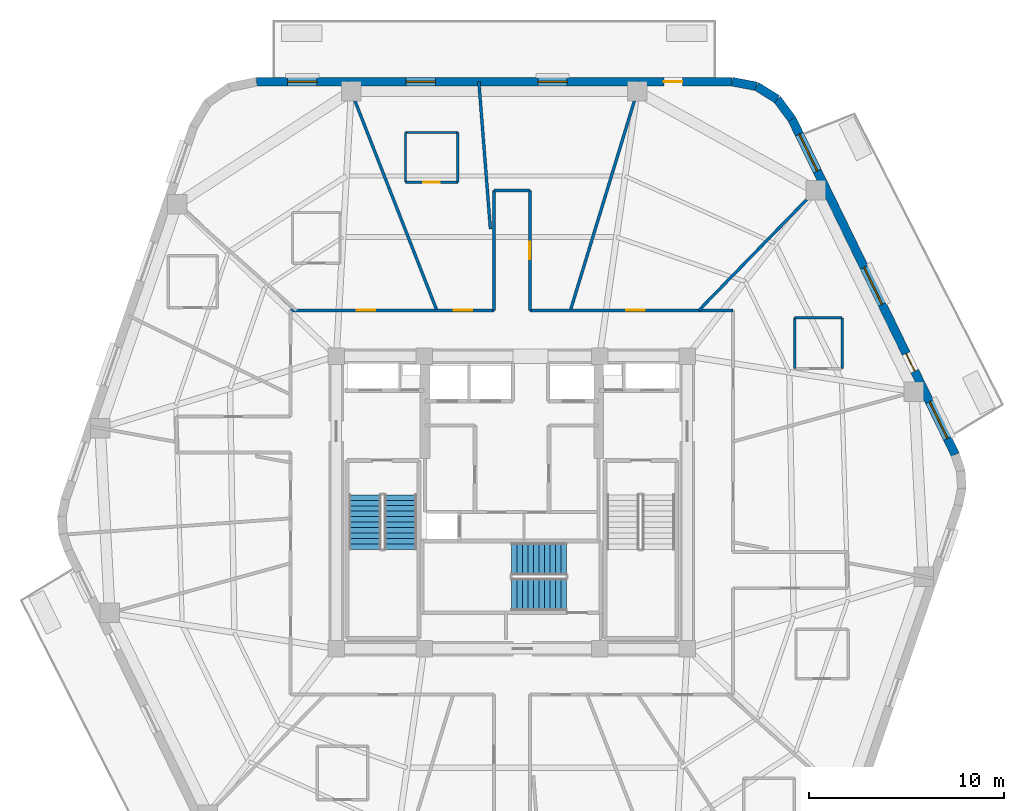
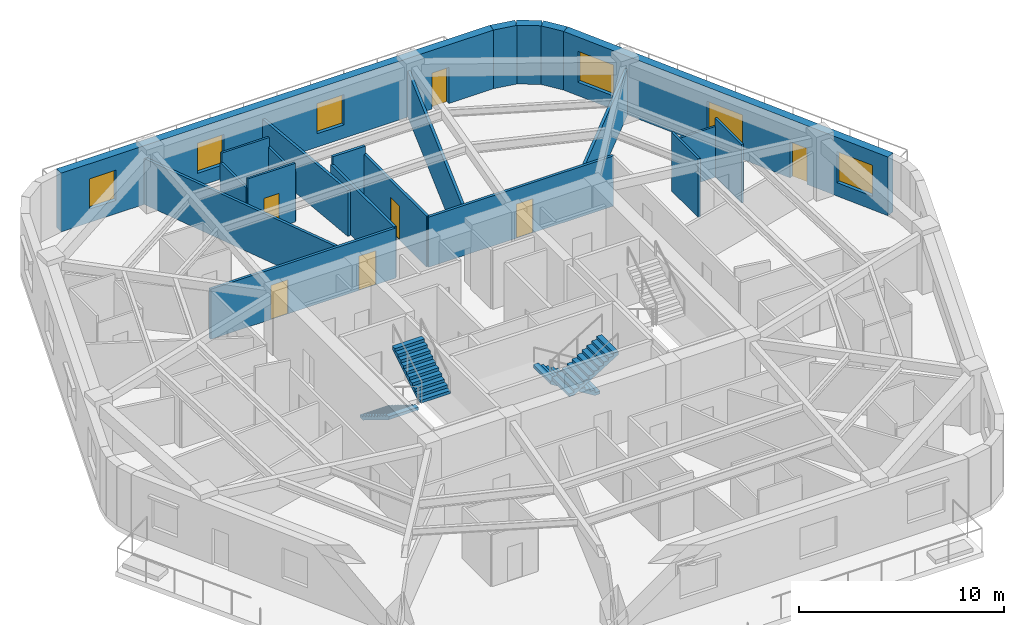
# One storey, part 6 of 10: 21 walls, 7 doors, 6 windows, 4 stair flights, 13 openings, 2 elements without a shape of their own.
"""IFC4 building model written with IfcOpenShell, lengths in metres."""

import ifcopenshell
import ifcopenshell.guid

model = None  # the IFC model being written
_history = None  # IfcOwnerHistory: only IFC2X3 demands one
_inside = {}  # id of a spatial element -> (the spatial element, [elements in it])
_under = {}  # id of a project, library or spatial element -> (it, [spatial elements below it])
_declared = {}  # id of a project -> (the project, [libraries it declares])
_typed = {}  # id of a type object -> (the type object, [elements of that type])
_made_of = {}  # id of a material, layer set ... -> (it, [elements and type objects made of it])


def new_model(schema):
    """Start an empty IFC model of exactly this schema.

    Asked for "IFC4X3", IfcOpenShell would pick the latest addendum, in which some entities
    have other attributes; the version numbers below select the first issue.
    IFC2X3 requires an IfcOwnerHistory on every rooted entity: one is made here for all.
    """
    global model, _history
    if schema == "IFC4X3":
        model = ifcopenshell.file(schema_version=(4, 3, 0, 0))
    else:
        model = ifcopenshell.file(schema=schema)
    _inside.clear()
    _under.clear()
    _declared.clear()
    _typed.clear()
    _made_of.clear()
    _history = None
    if model.schema == "IFC2X3":
        org = make("IfcOrganization", Name="unknown")
        user = make(
            "IfcPersonAndOrganization",
            ThePerson=make("IfcPerson", FamilyName="unknown"),
            TheOrganization=org,
        )
        app = make(
            "IfcApplication",
            ApplicationDeveloper=org,
            Version="unknown",
            ApplicationFullName="unknown",
            ApplicationIdentifier="unknown",
        )
        _history = make(
            "IfcOwnerHistory",
            OwningUser=user,
            OwningApplication=app,
            ChangeAction="ADDED",
            CreationDate=0,
        )
    return model


def make(cls, **values):
    """One entity of the class cls with the attributes given. An attribute that is None is left unset."""
    return model.create_entity(
        cls, **{name: value for name, value in values.items() if value is not None}
    )


def rooted(cls, **values):
    """An entity with a GlobalId (a new one), such as an element, a storey or a relation."""
    return make(cls, GlobalId=ifcopenshell.guid.new(), OwnerHistory=_history, **values)


def si_unit(unit_type, name, prefix=None):
    """IfcSIUnit, for example si_unit("LENGTHUNIT", "METRE", prefix="MILLI")."""
    return make("IfcSIUnit", UnitType=unit_type, Prefix=prefix, Name=name)


def assignment(units):
    """IfcUnitAssignment: the units of a project."""
    return None if units is None else make("IfcUnitAssignment", Units=units)


def point(xyz):
    """IfcCartesianPoint."""
    return None if xyz is None else make("IfcCartesianPoint", Coordinates=xyz)


def direction(xyz):
    """IfcDirection."""
    return None if xyz is None else make("IfcDirection", DirectionRatios=xyz)


def frame(location, z_axis=None, x_axis=None):
    """IfcAxis2Placement3D, a coordinate frame: its origin and axes. An axis left out is left unset."""
    return make(
        "IfcAxis2Placement3D",
        Location=point(location),
        Axis=direction(z_axis),
        RefDirection=direction(x_axis),
    )


def frame_2d(location, x_axis=None):
    """IfcAxis2Placement2D, a coordinate frame in the plane: its origin and x axis."""
    return make(
        "IfcAxis2Placement2D", Location=point(location), RefDirection=direction(x_axis)
    )


def origin():
    """The frame at (0, 0, 0) with its axes left unset."""
    return frame((0.0, 0.0, 0.0))


def place(relative_to, where):
    """IfcLocalPlacement: puts the frame where relative to a parent placement (None: the world)."""
    return make(
        "IfcLocalPlacement", PlacementRelTo=relative_to, RelativePlacement=where
    )


def context(
    kind, dimensions, precision=None, world=None, true_north=None, identifier=None
):
    """IfcGeometricRepresentationContext, for example the 3D "Model" context."""
    return make(
        "IfcGeometricRepresentationContext",
        ContextIdentifier=identifier,
        ContextType=kind,
        CoordinateSpaceDimension=dimensions,
        Precision=precision,
        WorldCoordinateSystem=world,
        TrueNorth=true_north,
    )


def subcontext(parent, identifier, kind, view, scale=None):
    """IfcGeometricRepresentationSubContext, for example "Body" below "Model"."""
    return make(
        "IfcGeometricRepresentationSubContext",
        ContextIdentifier=identifier,
        ContextType=kind,
        ParentContext=parent,
        TargetScale=scale,
        TargetView=view,
    )


def project(units=None, contexts=None):
    """IfcProject with its units and contexts."""
    return rooted(
        "IfcProject",
        Name="project",
        RepresentationContexts=contexts,
        UnitsInContext=assignment(units),
    )


def spatial(cls, under=None, at=None, **own):
    """A site, building, storey or space (cls), placed at a placement, below another one or the project."""
    s = rooted(cls, ObjectPlacement=at, **own)
    if under is not None:
        _under.setdefault(under.id(), (under, []))[1].append(s)
    return s


def polyline(points):
    """IfcPolyline through the points."""
    return make("IfcPolyline", Points=[point(p) for p in points])


def profile(cls, at=None, kind="AREA", **sizes):
    """A parametric profile (cls). Its sizes go by their IFC names, for example OverallWidth=200.0."""
    return make(cls, ProfileType=kind, Position=at, **sizes)


def rectangle(**sizes):
    """IfcRectangleProfileDef."""
    return profile("IfcRectangleProfileDef", **sizes)


def outline(outer, holes=None, kind="AREA"):
    """IfcArbitraryClosedProfileDef: a profile drawn as a closed curve; with holes, ...WithVoids."""
    if holes is None:
        return make("IfcArbitraryClosedProfileDef", ProfileType=kind, OuterCurve=outer)
    return make(
        "IfcArbitraryProfileDefWithVoids",
        ProfileType=kind,
        OuterCurve=outer,
        InnerCurves=holes,
    )


def extrude(swept, where, along, depth):
    """IfcExtrudedAreaSolid: the profile swept, set in the frame where, extruded along a direction by depth."""
    return make(
        "IfcExtrudedAreaSolid",
        SweptArea=swept,
        Position=where,
        ExtrudedDirection=direction(along),
        Depth=depth,
    )


def shape(context_of_items, identifier, shape_type, items):
    """IfcShapeRepresentation: the items that make up one representation, for example the "Body"."""
    return make(
        "IfcShapeRepresentation",
        ContextOfItems=context_of_items,
        RepresentationIdentifier=identifier,
        RepresentationType=shape_type,
        Items=items,
    )


def material(Name=None, Category=None):
    """IfcMaterial."""
    return make("IfcMaterial", Name=Name, Category=Category)


def layer(
    of_material, thickness, ventilated=None, Name=None, Category=None, Priority=None
):
    """IfcMaterialLayer: one layer of a wall or slab, of a material (None: an air gap)."""
    return make(
        "IfcMaterialLayer",
        Material=of_material,
        LayerThickness=thickness,
        IsVentilated=ventilated,
        Name=Name,
        Category=Category,
        Priority=Priority,
    )


def layer_set(layers, Name=None):
    """IfcMaterialLayerSet."""
    return make("IfcMaterialLayerSet", MaterialLayers=layers, LayerSetName=Name)


def made_of(thing, what):
    """Note that an element or type object is made of a material, layer set ...; save() writes the relation."""
    if what is not None:
        _made_of.setdefault(what.id(), (what, []))[1].append(thing)
    return thing


def type_object(cls, material=None, **own):
    """A type object (cls), such as IfcWallType, which elements share."""
    return made_of(rooted(cls, **own), material)


def element(
    cls,
    number,
    at=None,
    inside=None,
    cuts=None,
    type_object=None,
    material=None,
    context=None,
    identifier="Body",
    shape_type=None,
    held_by="IfcProductDefinitionShape",
    body=None,
    shapes=None,
    **own,
):
    """One element of the class cls, such as IfcWall. Its Tag is "e" and its number.

    at: its placement. inside: the storey or other place that contains it. cuts: it is an
    opening in that element (IfcRelVoidsElement). A single representation is given by context,
    identifier, shape_type and body (its items); several are given by shapes. held_by: the class
    of the entity that holds the representations. save() writes the other relations.
    """
    e = rooted(cls, Tag="e%d" % number, ObjectPlacement=at, **own)
    if body is not None:
        shapes = [shape(context, identifier, shape_type, body)]
    if shapes is not None:
        e.Representation = make(held_by, Representations=shapes)
    if inside is not None:
        _inside.setdefault(inside.id(), (inside, []))[1].append(e)
    if cuts is not None:
        rooted(
            "IfcRelVoidsElement", RelatingBuildingElement=cuts, RelatedOpeningElement=e
        )
    if type_object is not None:
        _typed.setdefault(type_object.id(), (type_object, []))[1].append(e)
    return made_of(e, material)


def fill(opening, filler):
    """IfcRelFillsElement: the door or window that sits in an opening."""
    return rooted(
        "IfcRelFillsElement",
        RelatingOpeningElement=opening,
        RelatedBuildingElement=filler,
    )


def aggregate(whole, parts):
    """IfcRelAggregates: a whole, such as a stair, and the parts it consists of."""
    return rooted("IfcRelAggregates", RelatingObject=whole, RelatedObjects=parts)


def save(model, path):
    """Write the relations noted so far, then the file.

    IfcRelAggregates (storeys below a building ...), IfcRelContainedInSpatialStructure (elements
    in a storey), IfcRelDefinesByType, IfcRelAssociatesMaterial and IfcRelDeclares: one each for
    every whole, place, type object, material and project.
    """
    for whole, parts in _under.values():
        aggregate(whole, parts)
    for where, things in _inside.values():
        rooted(
            "IfcRelContainedInSpatialStructure",
            RelatedElements=things,
            RelatingStructure=where,
        )
    for kind, things in _typed.values():
        rooted("IfcRelDefinesByType", RelatedObjects=things, RelatingType=kind)
    for what, things in _made_of.values():
        rooted("IfcRelAssociatesMaterial", RelatedObjects=things, RelatingMaterial=what)
    for by, libraries in _declared.values():
        rooted("IfcRelDeclares", RelatingContext=by, RelatedDefinitions=libraries)
    model.write(path)


model = new_model("IFC4")

# Units and contexts
model_context = context("Model", 3, precision=1e-05, world=origin(), true_north=direction((0.0, 1.0)))
body_context = subcontext(model_context, "Body", "Model", "MODEL_VIEW")
ifc_project = project(units=[si_unit("LENGTHUNIT", "METRE"), si_unit("AREAUNIT", "SQUARE_METRE"), si_unit("VOLUMEUNIT", "CUBIC_METRE"), si_unit("PLANEANGLEUNIT", "RADIAN"), si_unit("MASSUNIT", "GRAM", prefix="KILO")], contexts=[model_context])

# Site, building, storey
site_placement = place(None, origin())
site = spatial("IfcSite", under=ifc_project, at=site_placement, CompositionType="ELEMENT")
building_placement = place(site_placement, origin())
building = spatial("IfcBuilding", under=site, at=building_placement, Name="Kilnhurst Terrace Hotel", CompositionType="ELEMENT")
storey_placement = place(building_placement, frame((0.0, 0.0, 210.300048828125)))
storey = spatial("IfcBuildingStorey", under=building, at=storey_placement, Name="L52", CompositionType="ELEMENT", Elevation=210.300048828125)

# Walls
ifc_material_1 = material(Name="Precast concrete C40/50", Category="concrete")
ifc_layer_1 = layer(ifc_material_1, 0.449951171875, Name="Precast concrete C40/50")
ifc_layer_set_1 = layer_set([ifc_layer_1], Name="Precast concrete C40/50")
wall_type_1 = type_object("IfcWallType", Name="WL-BRK-450", PredefinedType="SOLIDWALL", material=ifc_layer_set_1)
wall_1_placement = place(storey_placement, frame((14.3623046875, 19.658447265625, 0.0), z_axis=(0.0, 0.0, 1.0), x_axis=(-0.596642462792, 0.80250717853, 0.0)))
element("IfcWall", 1, at=wall_1_placement, inside=storey, type_object=wall_type_1, Name="L52 Rounded Corner Brick Wall C4.1", PredefinedType="SOLIDWALL", context=body_context, shape_type="SweptSolid", body=[
    extrude(rectangle(XDim=1.27001953125, YDim=0.449951171875, at=frame_2d((0.635009765625, 0.0))), origin(), (0.0, 0.0, 1.0), 3.5),
])
wall_2_placement = place(storey_placement, frame((13.6044921875, 20.677734375, 0.0), z_axis=(0.0, 0.0, 1.0), x_axis=(-0.847910404124, 0.53013955387, 0.0)))
element("IfcWall", 2, at=wall_2_placement, inside=storey, type_object=wall_type_1, Name="L52 Rounded Corner Brick Wall C4.2", PredefinedType="SOLIDWALL", context=body_context, shape_type="SweptSolid", body=[
    extrude(rectangle(XDim=1.24853515625, YDim=0.449951171875, at=frame_2d((0.624267578125, 0.0))), origin(), (0.0, 0.0, 1.0), 3.5),
])
wall_3_placement = place(storey_placement, frame((12.5458984375, 21.339599609375, 0.0), z_axis=(0.0, 0.0, 1.0), x_axis=(-0.982686750835, 0.18527479519, 0.0)))
element("IfcWall", 3, at=wall_3_placement, inside=storey, type_object=wall_type_1, Name="L52 Rounded Corner Brick Wall C4.3", PredefinedType="SOLIDWALL", context=body_context, shape_type="SweptSolid", body=[
    extrude(rectangle(XDim=1.270263671875, YDim=0.449951171875, at=frame_2d((0.63525390625, 0.0))), origin(), (0.0, 0.0, 1.0), 3.5),
])

# Wall, openings, door, windows
wall_4_placement = place(storey_placement, frame((22.73974609375, 2.4521484375, 0.0), z_axis=(0.0, 0.0, 1.0), x_axis=(-0.437753424814, 0.899095066755, 0.0)))
wall_4 = element("IfcWall", 4, at=wall_4_placement, inside=storey, type_object=wall_type_1, Name="L52 Exterior Brick Facade Wall F3", PredefinedType="SOLIDWALL", context=body_context, shape_type="SweptSolid", body=[
    extrude(rectangle(XDim=19.137451171875, YDim=0.449951171875, at=frame_2d((9.56884765625, 0.0))), origin(), (0.0, 0.0, 1.0), 3.5),
])
opening_1_placement = place(wall_4_placement, frame((4.762939453125, 0.0, 0.0)))
opening_1 = element("IfcOpeningElement", 5, at=opening_1_placement, cuts=wall_4, Name="Opening BD-1000", PredefinedType="OPENING", context=body_context, shape_type="SweptSolid", body=[
    extrude(rectangle(XDim=1.0, YDim=2.14990234375, at=frame_2d((0.5, 1.074951171875))), frame((0.0, 0.23486328125, 0.0), z_axis=(0.0, -1.0, 0.0), x_axis=(1.0, 0.0, 0.0)), (0.0, 0.0, 1.0), 0.469970703125),
])
opening_2_placement = place(wall_4_placement, frame((8.570068359375, 0.0, 0.800048828125)))
opening_2 = element("IfcOpeningElement", 6, at=opening_2_placement, cuts=wall_4, Name="Opening W-04", PredefinedType="OPENING", context=body_context, shape_type="SweptSolid", body=[
    extrude(rectangle(XDim=2.10009765625, YDim=1.85009765625, at=frame_2d((1.050048828125, 0.925048828125))), frame((0.0, 0.23486328125, 0.0), z_axis=(0.0, -1.0, 0.0), x_axis=(1.0, 0.0, 0.0)), (0.0, 0.0, 1.0), 0.469970703125),
])
opening_3_placement = place(wall_4_placement, frame((16.173095703125, 0.0, 0.800048828125)))
opening_3 = element("IfcOpeningElement", 7, at=opening_3_placement, cuts=wall_4, Name="Opening W-04", PredefinedType="OPENING", context=body_context, shape_type="SweptSolid", body=[
    extrude(rectangle(XDim=2.10009765625, YDim=1.85009765625, at=frame_2d((1.050048828125, 0.925048828125))), frame((0.0, 0.23486328125, 0.0), z_axis=(0.0, -1.0, 0.0), x_axis=(1.0, 0.0, 0.0)), (0.0, 0.0, 1.0), 0.469970703125),
])
opening_4_placement = place(wall_4_placement, frame((0.916015625, 0.0, 0.800048828125)))
opening_4 = element("IfcOpeningElement", 8, at=opening_4_placement, cuts=wall_4, Name="Opening W-04", PredefinedType="OPENING", context=body_context, shape_type="SweptSolid", body=[
    extrude(rectangle(XDim=2.10009765625, YDim=1.85009765625, at=frame_2d((1.050048828125, 0.925048828125))), frame((0.0, 0.23486328125, 0.0), z_axis=(0.0, -1.0, 0.0), x_axis=(1.0, 0.0, 0.0)), (0.0, 0.0, 1.0), 0.469970703125),
])
ifc_material_2 = material(Name="Thermally Broken Bronze Aluminium Alloy 6063-T6 and Laminated Glass", Category="aluminium")
door_type_1 = type_object("IfcDoorType", Name="DR-EXT-BAL-1000", OperationType="NOTDEFINED", PredefinedType="DOOR", material=ifc_material_2)
door_1_placement = place(opening_1_placement, origin())
door_1 = element("IfcDoor", 9, at=door_1_placement, inside=storey, type_object=door_type_1, Name="L52 Planted Balcony Door BAL-L1A", OperationType="SINGLE_SWING_LEFT", OverallHeight=2.14990234375, OverallWidth=1.0, PredefinedType="DOOR", context=body_context, shape_type="SweptSolid", body=[
    extrude(rectangle(XDim=1.0, YDim=2.14990234375, at=frame_2d((0.5, 1.074951171875))), frame((0.0, 0.02490234375, 0.0), z_axis=(0.0, -1.0, 0.0), x_axis=(1.0, 0.0, 0.0)), (0.0, 0.0, 1.0), 0.050048828125),
])
fill(opening_1, door_1)
ifc_material_3 = material(Name="Thermally Broken Bronze Aluminium Alloy 6063-T6 and Low-E Glass", Category="aluminium")
window_type_1 = type_object("IfcWindowType", Name="WIN-2100X1850", PartitioningType="SINGLE_PANEL", PredefinedType="WINDOW", material=ifc_material_3)
window_1_placement = place(opening_2_placement, origin())
window_1 = element("IfcWindow", 10, at=window_1_placement, inside=storey, type_object=window_type_1, Name="L52 Deep-Set Masonry Window F3.1", OverallHeight=1.85009765625, OverallWidth=2.10009765625, PartitioningType="SINGLE_PANEL", PredefinedType="WINDOW", context=body_context, shape_type="SweptSolid", body=[
    extrude(rectangle(XDim=2.10009765625, YDim=1.85009765625, at=frame_2d((1.050048828125, 0.925048828125))), frame((0.0, 0.030029296875, 0.0), z_axis=(0.0, -1.0, 0.0), x_axis=(1.0, 0.0, 0.0)), (0.0, 0.0, 1.0), 0.06005859375),
])
fill(opening_2, window_1)
window_2_placement = place(opening_3_placement, origin())
window_2 = element("IfcWindow", 11, at=window_2_placement, inside=storey, type_object=window_type_1, Name="L52 Deep-Set Masonry Window F3.2", OverallHeight=1.85009765625, OverallWidth=2.10009765625, PartitioningType="SINGLE_PANEL", PredefinedType="WINDOW", context=body_context, shape_type="SweptSolid", body=[
    extrude(rectangle(XDim=2.10009765625, YDim=1.85009765625, at=frame_2d((1.050048828125, 0.925048828125))), frame((0.0, 0.030029296875, 0.0), z_axis=(0.0, -1.0, 0.0), x_axis=(1.0, 0.0, 0.0)), (0.0, 0.0, 1.0), 0.06005859375),
])
fill(opening_3, window_2)
window_3_placement = place(opening_4_placement, origin())
window_3 = element("IfcWindow", 12, at=window_3_placement, inside=storey, type_object=window_type_1, Name="L52 Deep-Set Masonry Window F3.3", OverallHeight=1.85009765625, OverallWidth=2.10009765625, PartitioningType="SINGLE_PANEL", PredefinedType="WINDOW", context=body_context, shape_type="SweptSolid", body=[
    extrude(rectangle(XDim=2.10009765625, YDim=1.85009765625, at=frame_2d((1.050048828125, 0.925048828125))), frame((0.0, 0.030029296875, 0.0), z_axis=(0.0, -1.0, 0.0), x_axis=(1.0, 0.0, 0.0)), (0.0, 0.0, 1.0), 0.06005859375),
])
fill(opening_4, window_3)

wall_5_placement = place(storey_placement, frame((11.297607421875, 21.574951171875, 0.0), z_axis=(0.0, 0.0, 1.0), x_axis=(-1.0, 0.0, 0.0)))
wall_5 = element("IfcWall", 13, at=wall_5_placement, inside=storey, type_object=wall_type_1, Name="L52 Exterior Brick Facade Wall F4", PredefinedType="SOLIDWALL", context=body_context, shape_type="SweptSolid", body=[
    extrude(rectangle(XDim=24.399169921875, YDim=0.449951171875, at=frame_2d((12.19970703125, 0.0))), origin(), (0.0, 0.0, 1.0), 3.5),
])
opening_5_placement = place(wall_5_placement, frame((2.550048828125, 0.0, 0.0)))
opening_5 = element("IfcOpeningElement", 14, at=opening_5_placement, cuts=wall_5, Name="Opening BD-950", PredefinedType="OPENING", context=body_context, shape_type="SweptSolid", body=[
    extrude(rectangle(XDim=0.949951171875, YDim=2.14990234375, at=frame_2d((0.47509765625, 1.074951171875))), frame((0.0, 0.23486328125, 0.0), z_axis=(0.0, -1.0, 0.0), x_axis=(1.0, 0.0, 0.0)), (0.0, 0.0, 1.0), 0.469970703125),
])
opening_6_placement = place(wall_5_placement, frame((8.468994140625, 0.0, 0.800048828125)))
opening_6 = element("IfcOpeningElement", 15, at=opening_6_placement, cuts=wall_5, Name="Opening W-02", PredefinedType="OPENING", context=body_context, shape_type="SweptSolid", body=[
    extrude(rectangle(XDim=1.5, YDim=1.800048828125, at=frame_2d((0.75, 0.89990234375))), frame((0.0, 0.23486328125, 0.0), z_axis=(0.0, -1.0, 0.0), x_axis=(1.0, 0.0, 0.0)), (0.0, 0.0, 1.0), 0.469970703125),
])
opening_7_placement = place(wall_5_placement, frame((15.221923828125, 0.0, 0.800048828125)))
opening_7 = element("IfcOpeningElement", 16, at=opening_7_placement, cuts=wall_5, Name="Opening W-02", PredefinedType="OPENING", context=body_context, shape_type="SweptSolid", body=[
    extrude(rectangle(XDim=1.5, YDim=1.800048828125, at=frame_2d((0.75, 0.89990234375))), frame((0.0, 0.23486328125, 0.0), z_axis=(0.0, -1.0, 0.0), x_axis=(1.0, 0.0, 0.0)), (0.0, 0.0, 1.0), 0.469970703125),
])
opening_8_placement = place(wall_5_placement, frame((21.2958984375, 0.0, 0.800048828125)))
opening_8 = element("IfcOpeningElement", 17, at=opening_8_placement, cuts=wall_5, Name="Opening W-02", PredefinedType="OPENING", context=body_context, shape_type="SweptSolid", body=[
    extrude(rectangle(XDim=1.5, YDim=1.800048828125, at=frame_2d((0.75, 0.89990234375))), frame((0.0, 0.23486328125, 0.0), z_axis=(0.0, -1.0, 0.0), x_axis=(1.0, 0.0, 0.0)), (0.0, 0.0, 1.0), 0.469970703125),
])
door_type_2 = type_object("IfcDoorType", Name="DR-EXT-BAL-950", OperationType="NOTDEFINED", PredefinedType="DOOR", material=ifc_material_2)
door_2_placement = place(opening_5_placement, origin())
door_2 = element("IfcDoor", 18, at=door_2_placement, inside=storey, type_object=door_type_2, Name="L52 Planted Balcony Door BAL-L1B", OperationType="SINGLE_SWING_RIGHT", OverallHeight=2.14990234375, OverallWidth=0.949951171875, PredefinedType="DOOR", context=body_context, shape_type="SweptSolid", body=[
    extrude(rectangle(XDim=0.949951171875, YDim=2.14990234375, at=frame_2d((0.47509765625, 1.074951171875))), frame((0.0, 0.02490234375, 0.0), z_axis=(0.0, -1.0, 0.0), x_axis=(1.0, 0.0, 0.0)), (0.0, 0.0, 1.0), 0.050048828125),
])
fill(opening_5, door_2)
window_type_2 = type_object("IfcWindowType", Name="WIN-1500X1800", PartitioningType="SINGLE_PANEL", PredefinedType="WINDOW", material=ifc_material_3)
window_4_placement = place(opening_6_placement, origin())
window_4 = element("IfcWindow", 19, at=window_4_placement, inside=storey, type_object=window_type_2, Name="L52 Deep-Set Masonry Window F4.1", OverallHeight=1.800048828125, OverallWidth=1.5, PartitioningType="SINGLE_PANEL", PredefinedType="WINDOW", context=body_context, shape_type="SweptSolid", body=[
    extrude(rectangle(XDim=1.5, YDim=1.800048828125, at=frame_2d((0.75, 0.89990234375))), frame((0.0, 0.030029296875, 0.0), z_axis=(0.0, -1.0, 0.0), x_axis=(1.0, 0.0, 0.0)), (0.0, 0.0, 1.0), 0.06005859375),
])
fill(opening_6, window_4)
window_5_placement = place(opening_7_placement, origin())
window_5 = element("IfcWindow", 20, at=window_5_placement, inside=storey, type_object=window_type_2, Name="L52 Deep-Set Masonry Window F4.2", OverallHeight=1.800048828125, OverallWidth=1.5, PartitioningType="SINGLE_PANEL", PredefinedType="WINDOW", context=body_context, shape_type="SweptSolid", body=[
    extrude(rectangle(XDim=1.5, YDim=1.800048828125, at=frame_2d((0.75, 0.89990234375))), frame((0.0, 0.030029296875, 0.0), z_axis=(0.0, -1.0, 0.0), x_axis=(1.0, 0.0, 0.0)), (0.0, 0.0, 1.0), 0.06005859375),
])
fill(opening_7, window_5)
window_6_placement = place(opening_8_placement, origin())
window_6 = element("IfcWindow", 21, at=window_6_placement, inside=storey, type_object=window_type_2, Name="L52 Deep-Set Masonry Window F4.3", OverallHeight=1.800048828125, OverallWidth=1.5, PartitioningType="SINGLE_PANEL", PredefinedType="WINDOW", context=body_context, shape_type="SweptSolid", body=[
    extrude(rectangle(XDim=1.5, YDim=1.800048828125, at=frame_2d((0.75, 0.89990234375))), frame((0.0, 0.030029296875, 0.0), z_axis=(0.0, -1.0, 0.0), x_axis=(1.0, 0.0, 0.0)), (0.0, 0.0, 1.0), 0.06005859375),
])
fill(opening_8, window_6)

# Wall, openings, doors
ifc_material_4 = material(Name="Acoustic Double-Gypsum Corridor Partition Assembly")
ifc_layer_2 = layer(ifc_material_4, 0.14990234375, Name="Acoustic Double-Gypsum Corridor Partition Assembly")
ifc_layer_set_2 = layer_set([ifc_layer_2], Name="Acoustic Double-Gypsum Corridor Partition Assembly")
wall_type_2 = type_object("IfcWallType", Name="WL-COR-150", PredefinedType="PARTITIONING", material=ifc_layer_set_2)
wall_6_placement = place(storey_placement, frame((-11.35009765625, 9.85009765625, 0.0), z_axis=(0.0, 0.0, 1.0), x_axis=(1.0, 0.0, 0.0)))
wall_6 = element("IfcWall", 22, at=wall_6_placement, inside=storey, type_object=wall_type_2, Name="L52 Interior Wall WL-L52-COR-06", PredefinedType="PARTITIONING", context=body_context, shape_type="SweptSolid", body=[
    extrude(rectangle(XDim=10.43017578125, YDim=0.14990234375, at=frame_2d((5.215087890625, 0.0))), origin(), (0.0, 0.0, 1.0), 2.989990234375),
])
opening_9_placement = place(wall_6_placement, frame((8.362060546875, 0.0, 0.0)))
opening_9 = element("IfcOpeningElement", 23, at=opening_9_placement, cuts=wall_6, Name="Opening D-60B", PredefinedType="OPENING", context=body_context, shape_type="SweptSolid", body=[
    extrude(rectangle(XDim=0.949951171875, YDim=2.030029296875, at=frame_2d((0.47509765625, 1.01513671875))), frame((0.0, 0.0849609375, 0.0), z_axis=(0.0, -1.0, 0.0), x_axis=(1.0, 0.0, 0.0)), (0.0, 0.0, 1.0), 0.169921875),
])
opening_10_placement = place(wall_6_placement, frame((3.39599609375, 0.0, 0.0)))
opening_10 = element("IfcOpeningElement", 24, at=opening_10_placement, cuts=wall_6, Name="Opening D-60B", PredefinedType="OPENING", context=body_context, shape_type="SweptSolid", body=[
    extrude(rectangle(XDim=0.949951171875, YDim=2.030029296875, at=frame_2d((0.47509765625, 1.01513671875))), frame((0.0, 0.0849609375, 0.0), z_axis=(0.0, -1.0, 0.0), x_axis=(1.0, 0.0, 0.0)), (0.0, 0.0, 1.0), 0.169921875),
])
ifc_material_5 = material(Name="Acoustic Walnut Veneer Solid-Core Fire Door")
door_type_3 = type_object("IfcDoorType", Name="DR-FD60-950", OperationType="NOTDEFINED", PredefinedType="DOOR", material=ifc_material_5)
door_3_placement = place(opening_9_placement, origin())
door_3 = element("IfcDoor", 25, at=door_3_placement, inside=storey, type_object=door_type_3, Name="L52 Guest Room Entry Door 4", OperationType="SINGLE_SWING_RIGHT", OverallHeight=2.030029296875, OverallWidth=0.949951171875, PredefinedType="DOOR", context=body_context, shape_type="SweptSolid", body=[
    extrude(rectangle(XDim=0.949951171875, YDim=2.030029296875, at=frame_2d((0.47509765625, 1.01513671875))), frame((0.0, 0.02490234375, 0.0), z_axis=(0.0, -1.0, 0.0), x_axis=(1.0, 0.0, 0.0)), (0.0, 0.0, 1.0), 0.050048828125),
])
fill(opening_9, door_3)
door_4_placement = place(opening_10_placement, origin())
door_4 = element("IfcDoor", 26, at=door_4_placement, inside=storey, type_object=door_type_3, Name="L52 Executive Suite Entry Door 5", OperationType="SINGLE_SWING_LEFT", OverallHeight=2.030029296875, OverallWidth=0.949951171875, PredefinedType="DOOR", context=body_context, shape_type="SweptSolid", body=[
    extrude(rectangle(XDim=0.949951171875, YDim=2.030029296875, at=frame_2d((0.47509765625, 1.01513671875))), frame((0.0, 0.02490234375, 0.0), z_axis=(0.0, -1.0, 0.0), x_axis=(1.0, 0.0, 0.0)), (0.0, 0.0, 1.0), 0.050048828125),
])
fill(opening_10, door_4)

# Walls
wall_7_placement = place(storey_placement, frame((-0.919921875, 9.85009765625, 0.0), z_axis=(0.0, 0.0, 1.0), x_axis=(0.0, 1.0, 0.0)))
element("IfcWall", 27, at=wall_7_placement, inside=storey, type_object=wall_type_2, Name="L52 Interior Wall WL-L52-COR-07", PredefinedType="PARTITIONING", context=body_context, shape_type="SweptSolid", body=[
    extrude(rectangle(XDim=6.14990234375, YDim=0.14990234375, at=frame_2d((3.074951171875, 0.0))), origin(), (0.0, 0.0, 1.0), 3.0263671875),
])
wall_8_placement = place(storey_placement, frame((-0.919921875, 16.0, 0.0), z_axis=(0.0, 0.0, 1.0), x_axis=(1.0, 0.0, 0.0)))
element("IfcWall", 28, at=wall_8_placement, inside=storey, type_object=wall_type_2, Name="L52 Interior Wall WL-L52-COR-08", PredefinedType="PARTITIONING", context=body_context, shape_type="SweptSolid", body=[
    extrude(rectangle(XDim=1.83984375, YDim=0.14990234375, at=frame_2d((0.919921875, 0.0))), origin(), (0.0, 0.0, 1.0), 3.5),
])

# Wall, opening, door
wall_9_placement = place(storey_placement, frame((0.919921875, 16.0, 0.0), z_axis=(0.0, 0.0, 1.0), x_axis=(0.0, -1.0, 0.0)))
wall_9 = element("IfcWall", 29, at=wall_9_placement, inside=storey, type_object=wall_type_2, Name="L52 Interior Wall WL-L52-COR-09", PredefinedType="PARTITIONING", context=body_context, shape_type="SweptSolid", body=[
    extrude(rectangle(XDim=6.14990234375, YDim=0.14990234375, at=frame_2d((3.074951171875, 0.0))), origin(), (0.0, 0.0, 1.0), 3.0263671875),
])
opening_11_placement = place(wall_9_placement, frame((2.625, 0.0, 0.0)))
opening_11 = element("IfcOpeningElement", 30, at=opening_11_placement, cuts=wall_9, Name="Opening D-60C", PredefinedType="OPENING", context=body_context, shape_type="SweptSolid", body=[
    extrude(rectangle(XDim=0.89990234375, YDim=2.030029296875, at=frame_2d((0.449951171875, 1.01513671875))), frame((0.0, 0.0849609375, 0.0), z_axis=(0.0, -1.0, 0.0), x_axis=(1.0, 0.0, 0.0)), (0.0, 0.0, 1.0), 0.169921875),
])
ifc_material_6 = material(Name="Painted Solid-Core Service Fire Door")
door_type_4 = type_object("IfcDoorType", Name="DR-FD60-900", OperationType="NOTDEFINED", PredefinedType="DOOR", material=ifc_material_6)
door_5_placement = place(opening_11_placement, origin())
door_5 = element("IfcDoor", 31, at=door_5_placement, inside=storey, type_object=door_type_4, Name="L52 Executive Work Office Door 3", OperationType="SINGLE_SWING_LEFT", OverallHeight=2.030029296875, OverallWidth=0.89990234375, PredefinedType="DOOR", context=body_context, shape_type="SweptSolid", body=[
    extrude(rectangle(XDim=0.89990234375, YDim=2.030029296875, at=frame_2d((0.449951171875, 1.01513671875))), frame((0.0, 0.02490234375, 0.0), z_axis=(0.0, -1.0, 0.0), x_axis=(1.0, 0.0, 0.0)), (0.0, 0.0, 1.0), 0.050048828125),
])
fill(opening_11, door_5)

wall_10_placement = place(storey_placement, frame((0.919921875, 9.85009765625, 0.0), z_axis=(0.0, 0.0, 1.0), x_axis=(1.0, 0.0, 0.0)))
wall_10 = element("IfcWall", 32, at=wall_10_placement, inside=storey, type_object=wall_type_2, Name="L52 Interior Wall WL-L52-COR-10", PredefinedType="PARTITIONING", context=body_context, shape_type="SweptSolid", body=[
    extrude(rectangle(XDim=10.43017578125, YDim=0.14990234375, at=frame_2d((5.215087890625, 0.0))), origin(), (0.0, 0.0, 1.0), 2.989990234375),
])
opening_12_placement = place(wall_10_placement, frame((4.948974609375, 0.0, 0.0)))
opening_12 = element("IfcOpeningElement", 33, at=opening_12_placement, cuts=wall_10, Name="Opening D-60B", PredefinedType="OPENING", context=body_context, shape_type="SweptSolid", body=[
    extrude(rectangle(XDim=0.949951171875, YDim=2.030029296875, at=frame_2d((0.47509765625, 1.01513671875))), frame((0.0, 0.0849609375, 0.0), z_axis=(0.0, -1.0, 0.0), x_axis=(1.0, 0.0, 0.0)), (0.0, 0.0, 1.0), 0.169921875),
])
door_6_placement = place(opening_12_placement, origin())
door_6 = element("IfcDoor", 34, at=door_6_placement, inside=storey, type_object=door_type_3, Name="L52 Executive Boardroom Door", OperationType="SINGLE_SWING_RIGHT", OverallHeight=2.030029296875, OverallWidth=0.949951171875, PredefinedType="DOOR", context=body_context, shape_type="SweptSolid", body=[
    extrude(rectangle(XDim=0.949951171875, YDim=2.030029296875, at=frame_2d((0.47509765625, 1.01513671875))), frame((0.0, 0.02490234375, 0.0), z_axis=(0.0, -1.0, 0.0), x_axis=(1.0, 0.0, 0.0)), (0.0, 0.0, 1.0), 0.050048828125),
])
fill(opening_12, door_6)

# Walls
ifc_material_7 = material(Name="STC-58 Acoustic Twin-Frame Guestroom Demising Partition")
ifc_layer_3 = layer(ifc_material_7, 0.14990234375, Name="STC-58 Acoustic Twin-Frame Guestroom Demising Partition")
ifc_layer_set_3 = layer_set([ifc_layer_3], Name="STC-58 Acoustic Twin-Frame Guestroom Demising Partition")
wall_type_3 = type_object("IfcWallType", Name="WL-DEM-150", PredefinedType="PARTITIONING", material=ifc_layer_set_3)
wall_11_placement = place(storey_placement, frame((9.587890625, 9.85009765625, 0.0), z_axis=(0.0, 0.0, 1.0), x_axis=(0.697519469595, 0.716565830567, 0.0)))
element("IfcWall", 35, at=wall_11_placement, inside=storey, type_object=wall_type_3, Name="L52 Interior Wall WL-L52-DEM-COL02-02-1", PredefinedType="PARTITIONING", context=body_context, shape_type="SweptSolid", body=[
    extrude(rectangle(XDim=9.12646484375, YDim=0.14990234375, at=frame_2d((4.563232421875, 0.0))), origin(), (0.0, 0.0, 1.0), 2.739990234375),
])
wall_12_placement = place(storey_placement, frame((3.00439453125, 9.85009765625, 0.0), z_axis=(0.0, 0.0, 1.0), x_axis=(0.291775760688, 0.956486751333, 0.0)))
element("IfcWall", 36, at=wall_12_placement, inside=storey, type_object=wall_type_3, Name="L52 Interior Wall WL-L52-DEM-COL03-03-1", PredefinedType="PARTITIONING", context=body_context, shape_type="SweptSolid", body=[
    extrude(rectangle(XDim=12.25830078125, YDim=0.14990234375, at=frame_2d((6.129150390625, 0.0))), origin(), (0.0, 0.0, 1.0), 2.739990234375),
])
wall_13_placement = place(storey_placement, frame((-1.10009765625, 14.017578125, 0.0), z_axis=(0.0, 0.0, 1.0), x_axis=(-0.078228275349, 0.996935472804, 0.0)))
element("IfcWall", 37, at=wall_13_placement, inside=storey, type_object=wall_type_3, Name="L52 Interior Wall WL-L52-DEM-MID03-04-1", PredefinedType="PARTITIONING", context=body_context, shape_type="SweptSolid", body=[
    extrude(rectangle(XDim=7.58056640625, YDim=0.14990234375, at=frame_2d((3.790283203125, 0.0))), origin(), (0.0, 0.0, 1.0), 2.739990234375),
])
wall_14_placement = place(storey_placement, frame((-3.848388671875, 9.85009765625, 0.0), z_axis=(0.0, 0.0, 1.0), x_axis=(-0.363921778212, 0.931429513889, 0.0)))
element("IfcWall", 38, at=wall_14_placement, inside=storey, type_object=wall_type_3, Name="L52 Interior Wall WL-L52-DEM-COL04-05-1", PredefinedType="PARTITIONING", context=body_context, shape_type="SweptSolid", body=[
    extrude(rectangle(XDim=12.588134765625, YDim=0.14990234375, at=frame_2d((6.2939453125, 0.0))), origin(), (0.0, 0.0, 1.0), 2.739990234375),
])
ifc_material_8 = material(Name="120 mm Moisture-Resistant Tile-Backed Bathroom Partition")
ifc_layer_4 = layer(ifc_material_8, 0.1201171875, Name="120 mm Moisture-Resistant Tile-Backed Bathroom Partition")
ifc_layer_set_4 = layer_set([ifc_layer_4], Name="120 mm Moisture-Resistant Tile-Backed Bathroom Partition")
wall_type_4 = type_object("IfcWallType", Name="WL-PART-120", PredefinedType="PARTITIONING", material=ifc_layer_set_4)
wall_15_placement = place(storey_placement, frame((16.93994140625, 6.860107421875, 0.0), z_axis=(0.0, 0.0, 1.0), x_axis=(0.0, 1.0, 0.0)))
element("IfcWall", 39, at=wall_15_placement, inside=storey, type_object=wall_type_4, Name="L52 Interior Wall WL-L52-BTH-01-2", PredefinedType="PARTITIONING", context=body_context, shape_type="SweptSolid", body=[
    extrude(rectangle(XDim=2.60986328125, YDim=0.1201171875, at=frame_2d((1.304931640625, 0.0))), origin(), (0.0, 0.0, 1.0), 3.5),
])
wall_16_placement = place(storey_placement, frame((16.93994140625, 9.469970703125, 0.0), z_axis=(0.0, 0.0, 1.0), x_axis=(-1.0, 0.0, 0.0)))
element("IfcWall", 40, at=wall_16_placement, inside=storey, type_object=wall_type_4, Name="L52 Interior Wall WL-L52-BTH-01-3", PredefinedType="PARTITIONING", context=body_context, shape_type="SweptSolid", body=[
    extrude(rectangle(XDim=2.43994140625, YDim=0.1201171875, at=frame_2d((1.219970703125, 0.0))), origin(), (0.0, 0.0, 1.0), 3.0263671875),
])
wall_17_placement = place(storey_placement, frame((14.5, 9.469970703125, 0.0), z_axis=(0.0, 0.0, 1.0), x_axis=(0.0, -1.0, 0.0)))
element("IfcWall", 41, at=wall_17_placement, inside=storey, type_object=wall_type_4, Name="L52 Interior Wall WL-L52-BTH-01-4", PredefinedType="PARTITIONING", context=body_context, shape_type="SweptSolid", body=[
    extrude(rectangle(XDim=2.60986328125, YDim=0.1201171875, at=frame_2d((1.304931640625, 0.0))), origin(), (0.0, 0.0, 1.0), 3.5),
])

# Wall, opening, door
wall_18_placement = place(storey_placement, frame((-5.4541015625, 16.427001953125, 0.0), z_axis=(0.0, 0.0, 1.0), x_axis=(1.0, 0.0, 0.0)))
wall_18 = element("IfcWall", 42, at=wall_18_placement, inside=storey, type_object=wall_type_4, Name="L52 Interior Wall WL-L52-BTH-04-1", PredefinedType="PARTITIONING", context=body_context, shape_type="SweptSolid", body=[
    extrude(rectangle(XDim=2.68017578125, YDim=0.1201171875, at=frame_2d((1.340087890625, 0.0))), origin(), (0.0, 0.0, 1.0), 3.5),
])
opening_13_placement = place(wall_18_placement, frame((0.9150390625, 0.0, 0.0)))
opening_13 = element("IfcOpeningElement", 43, at=opening_13_placement, cuts=wall_18, Name="Opening D-08A", PredefinedType="OPENING", context=body_context, shape_type="SweptSolid", body=[
    extrude(rectangle(XDim=0.85009765625, YDim=2.030029296875, at=frame_2d((0.425048828125, 1.01513671875))), frame((0.0, 0.070068359375, 0.0), z_axis=(0.0, -1.0, 0.0), x_axis=(1.0, 0.0, 0.0)), (0.0, 0.0, 1.0), 0.14013671875),
])
ifc_material_9 = material(Name="Moisture-Resistant Lacquered En-suite Bathroom Door")
door_type_5 = type_object("IfcDoorType", Name="DR-INT-850", OperationType="NOTDEFINED", PredefinedType="DOOR", material=ifc_material_9)
door_7_placement = place(opening_13_placement, origin())
door_7 = element("IfcDoor", 44, at=door_7_placement, inside=storey, type_object=door_type_5, Name="L52 En-suite Bathroom Door 4", OperationType="SINGLE_SWING_LEFT", OverallHeight=2.030029296875, OverallWidth=0.85009765625, PredefinedType="DOOR", context=body_context, shape_type="SweptSolid", body=[
    extrude(rectangle(XDim=0.85009765625, YDim=2.030029296875, at=frame_2d((0.425048828125, 1.01513671875))), frame((0.0, 0.02490234375, 0.0), z_axis=(0.0, -1.0, 0.0), x_axis=(1.0, 0.0, 0.0)), (0.0, 0.0, 1.0), 0.050048828125),
])
fill(opening_13, door_7)

# Walls
wall_19_placement = place(storey_placement, frame((-2.77392578125, 16.427001953125, 0.0), z_axis=(0.0, 0.0, 1.0), x_axis=(0.0, 1.0, 0.0)))
element("IfcWall", 45, at=wall_19_placement, inside=storey, type_object=wall_type_4, Name="L52 Interior Wall WL-L52-BTH-04-2", PredefinedType="PARTITIONING", context=body_context, shape_type="SweptSolid", body=[
    extrude(rectangle(XDim=2.5400390625, YDim=0.1201171875, at=frame_2d((1.27001953125, 0.0))), origin(), (0.0, 0.0, 1.0), 2.9404296875),
])
wall_20_placement = place(storey_placement, frame((-2.77392578125, 18.967041015625, 0.0), z_axis=(0.0, 0.0, 1.0), x_axis=(-1.0, 0.0, 0.0)))
element("IfcWall", 46, at=wall_20_placement, inside=storey, type_object=wall_type_4, Name="L52 Interior Wall WL-L52-BTH-04-3", PredefinedType="PARTITIONING", context=body_context, shape_type="SweptSolid", body=[
    extrude(rectangle(XDim=2.68017578125, YDim=0.1201171875, at=frame_2d((1.340087890625, 0.0))), origin(), (0.0, 0.0, 1.0), 3.5),
])
wall_21_placement = place(storey_placement, frame((-5.4541015625, 18.967041015625, 0.0), z_axis=(0.0, 0.0, 1.0), x_axis=(0.0, -1.0, 0.0)))
element("IfcWall", 47, at=wall_21_placement, inside=storey, type_object=wall_type_4, Name="L52 Interior Wall WL-L52-BTH-04-4", PredefinedType="PARTITIONING", context=body_context, shape_type="SweptSolid", body=[
    extrude(rectangle(XDim=2.5400390625, YDim=0.1201171875, at=frame_2d((1.27001953125, 0.0))), origin(), (0.0, 0.0, 1.0), 2.9404296875),
])

# Stair, stair flights
ifc_material_10 = material(Name="Concrete C50/60", Category="concrete")
stair_type = type_object("IfcStairType", Name="STR-CORE-1660", PredefinedType="HALF_TURN_STAIR", material=ifc_material_10)
stair_1_placement = place(storey_placement, origin())
stair_1 = element("IfcStair", 48, at=stair_1_placement, inside=storey, type_object=stair_type, Name="L52 ST-1", PredefinedType="HALF_TURN_STAIR")
stair_flight_type = type_object("IfcStairFlightType", Name="FLT-RC-1660", PredefinedType="STRAIGHT", material=ifc_material_10)
stair_flight_1_placement = place(storey_placement, frame((-7.52001953125, 0.389892578125, 0.0), z_axis=(0.0, 0.0, 1.0), x_axis=(0.0, -1.0, 0.0)))
stair_flight_1 = element("IfcStairFlight", 49, at=stair_flight_1_placement, type_object=stair_flight_type, Name="ST-1 flight 1", NumberOfRisers=11, NumberOfTreads=10, PredefinedType="STRAIGHT", RiserHeight=0.172727273, TreadLength=0.28, context=body_context, shape_type="SweptSolid", body=[
    extrude(outline(polyline([(0.0, 0.0), (0.0, 0.172607421875), (0.280029296875, 0.172607421875), (0.280029296875, 0.345458984375), (0.56005859375, 0.345458984375), (0.56005859375, 0.51806640625), (0.840087890625, 0.51806640625), (0.840087890625, 0.69091796875), (1.1201171875, 0.69091796875), (1.1201171875, 0.863525390625), (1.39990234375, 0.863525390625), (1.39990234375, 1.036376953125), (1.679931640625, 1.036376953125), (1.679931640625, 1.208984375), (1.9599609375, 1.208984375), (1.9599609375, 1.3818359375), (2.239990234375, 1.3818359375), (2.239990234375, 1.554443359375), (2.52001953125, 1.554443359375), (2.52001953125, 1.727294921875), (2.800048828125, 1.727294921875), (2.800048828125, 1.89990234375), (2.800048828125, 1.551025390625), (0.285400390625, 0.0), (0.0, 0.0)])), frame((0.0, 0.830078125, 0.0), z_axis=(0.0, -1.0, 0.0), x_axis=(1.0, 0.0, 0.0)), (0.0, 0.0, 1.0), 1.659912109375),
])
stair_flight_2_placement = place(storey_placement, frame((-5.7099609375, -2.409912109375, 1.89990234375), z_axis=(0.0, 0.0, 1.0), x_axis=(0.0, 1.0, 0.0)))
stair_flight_2 = element("IfcStairFlight", 50, at=stair_flight_2_placement, type_object=stair_flight_type, Name="ST-1 flight 2", NumberOfRisers=11, NumberOfTreads=10, PredefinedType="STRAIGHT", RiserHeight=0.172727273, TreadLength=0.28, context=body_context, shape_type="SweptSolid", body=[
    extrude(outline(polyline([(0.0, 0.0), (0.0, 0.172607421875), (0.280029296875, 0.172607421875), (0.280029296875, 0.345458984375), (0.56005859375, 0.345458984375), (0.56005859375, 0.51806640625), (0.840087890625, 0.51806640625), (0.840087890625, 0.69091796875), (1.1201171875, 0.69091796875), (1.1201171875, 0.863525390625), (1.39990234375, 0.863525390625), (1.39990234375, 1.036376953125), (1.679931640625, 1.036376953125), (1.679931640625, 1.208984375), (1.9599609375, 1.208984375), (1.9599609375, 1.3818359375), (2.239990234375, 1.3818359375), (2.239990234375, 1.554443359375), (2.52001953125, 1.554443359375), (2.52001953125, 1.727294921875), (2.800048828125, 1.727294921875), (2.800048828125, 1.89990234375), (2.800048828125, 1.551025390625), (0.285400390625, 0.0), (0.0, 0.0)])), frame((0.0, 0.830078125, 0.0), z_axis=(0.0, -1.0, 0.0), x_axis=(1.0, 0.0, 0.0)), (0.0, 0.0, 1.0), 1.659912109375),
])
aggregate(stair_1, [stair_flight_1, stair_flight_2])

stair_2_placement = place(storey_placement, origin())
stair_2 = element("IfcStair", 51, at=stair_2_placement, inside=storey, type_object=stair_type, Name="L52 ST-3", PredefinedType="HALF_TURN_STAIR")
stair_flight_3_placement = place(storey_placement, frame((2.7900390625, -2.909912109375, 0.0), z_axis=(0.0, 0.0, 1.0), x_axis=(-1.0, 0.0, 0.0)))
stair_flight_3 = element("IfcStairFlight", 52, at=stair_flight_3_placement, type_object=stair_flight_type, Name="ST-3 flight 1", NumberOfRisers=11, NumberOfTreads=10, PredefinedType="STRAIGHT", RiserHeight=0.172727273, TreadLength=0.28, context=body_context, shape_type="SweptSolid", body=[
    extrude(outline(polyline([(0.0, 0.0), (0.0, 0.172607421875), (0.280029296875, 0.172607421875), (0.280029296875, 0.345458984375), (0.56005859375, 0.345458984375), (0.56005859375, 0.51806640625), (0.840087890625, 0.51806640625), (0.840087890625, 0.69091796875), (1.1201171875, 0.69091796875), (1.1201171875, 0.863525390625), (1.39990234375, 0.863525390625), (1.39990234375, 1.036376953125), (1.679931640625, 1.036376953125), (1.679931640625, 1.208984375), (1.9599609375, 1.208984375), (1.9599609375, 1.3818359375), (2.239990234375, 1.3818359375), (2.239990234375, 1.554443359375), (2.52001953125, 1.554443359375), (2.52001953125, 1.727294921875), (2.800048828125, 1.727294921875), (2.800048828125, 1.89990234375), (2.800048828125, 1.551025390625), (0.285400390625, 0.0), (0.0, 0.0)])), frame((0.0, 0.830078125, 0.0), z_axis=(0.0, -1.0, 0.0), x_axis=(1.0, 0.0, 0.0)), (0.0, 0.0, 1.0), 1.659912109375),
])
stair_flight_4_placement = place(storey_placement, frame((-0.010009765625, -4.719970703125, 1.89990234375), z_axis=(0.0, 0.0, 1.0), x_axis=(1.0, 0.0, 0.0)))
stair_flight_4 = element("IfcStairFlight", 53, at=stair_flight_4_placement, type_object=stair_flight_type, Name="ST-3 flight 2", NumberOfRisers=11, NumberOfTreads=10, PredefinedType="STRAIGHT", RiserHeight=0.172727273, TreadLength=0.28, context=body_context, shape_type="SweptSolid", body=[
    extrude(outline(polyline([(0.0, 0.0), (0.0, 0.172607421875), (0.280029296875, 0.172607421875), (0.280029296875, 0.345458984375), (0.56005859375, 0.345458984375), (0.56005859375, 0.51806640625), (0.840087890625, 0.51806640625), (0.840087890625, 0.69091796875), (1.1201171875, 0.69091796875), (1.1201171875, 0.863525390625), (1.39990234375, 0.863525390625), (1.39990234375, 1.036376953125), (1.679931640625, 1.036376953125), (1.679931640625, 1.208984375), (1.9599609375, 1.208984375), (1.9599609375, 1.3818359375), (2.239990234375, 1.3818359375), (2.239990234375, 1.554443359375), (2.52001953125, 1.554443359375), (2.52001953125, 1.727294921875), (2.800048828125, 1.727294921875), (2.800048828125, 1.89990234375), (2.800048828125, 1.551025390625), (0.285400390625, 0.0), (0.0, 0.0)])), frame((0.0, 0.830078125, 0.0), z_axis=(0.0, -1.0, 0.0), x_axis=(1.0, 0.0, 0.0)), (0.0, 0.0, 1.0), 1.659912109375),
])
aggregate(stair_2, [stair_flight_3, stair_flight_4])

save(model, "model.ifc")
